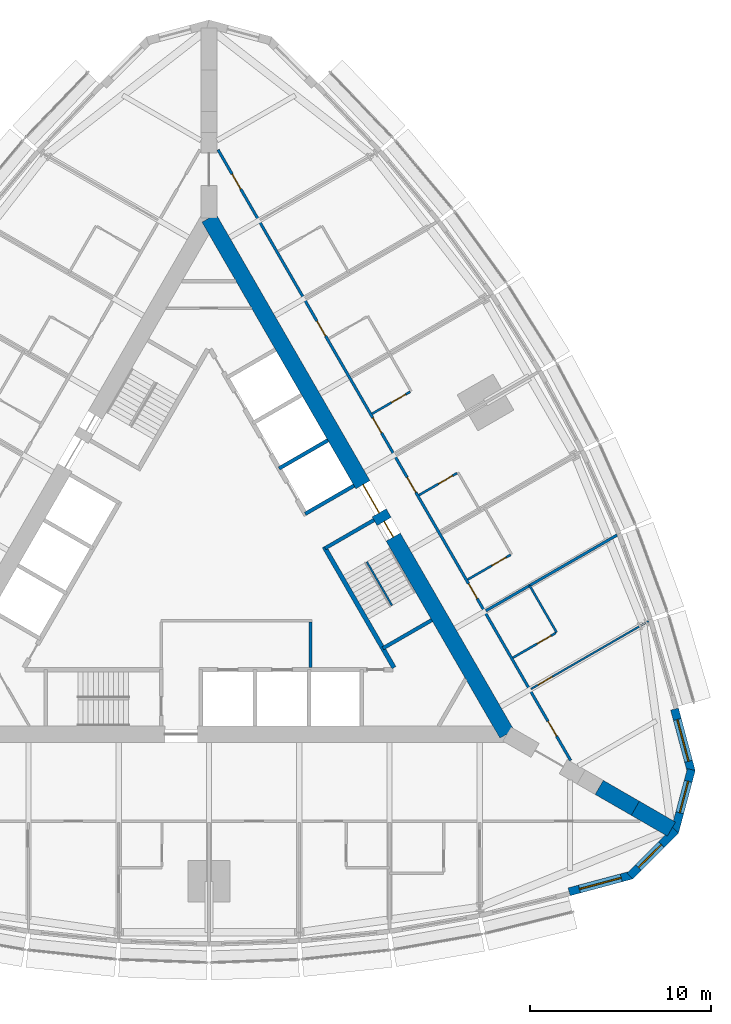
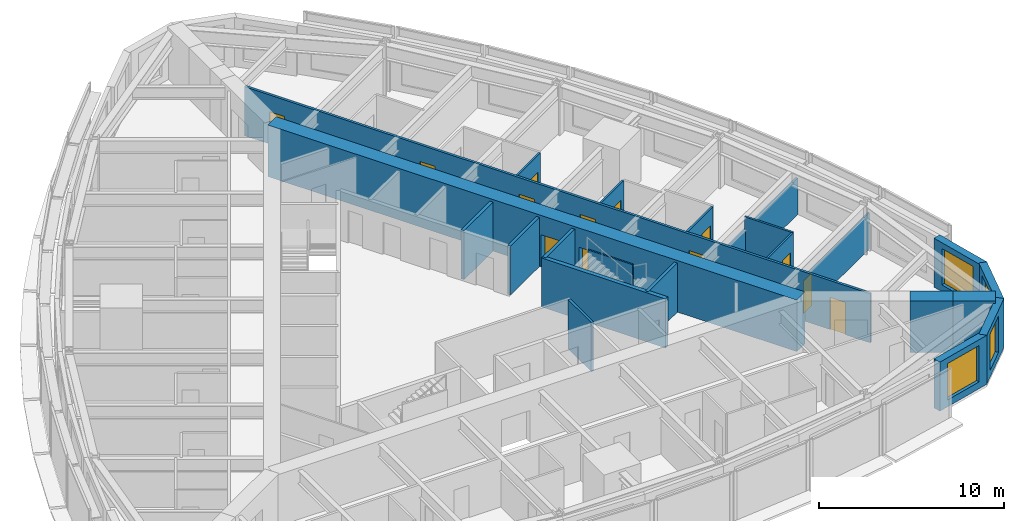
# One storey, part 11 of 14: 22 walls, 13 doors, 4 windows, 17 openings.
"""IFC4 building model written with IfcOpenShell, lengths in metres."""

import ifcopenshell
import ifcopenshell.guid

model = None  # the IFC model being written
_history = None  # IfcOwnerHistory: only IFC2X3 demands one
_inside = {}  # id of a spatial element -> (the spatial element, [elements in it])
_under = {}  # id of a project, library or spatial element -> (it, [spatial elements below it])
_declared = {}  # id of a project -> (the project, [libraries it declares])
_typed = {}  # id of a type object -> (the type object, [elements of that type])
_made_of = {}  # id of a material, layer set ... -> (it, [elements and type objects made of it])


def new_model(schema):
    """Start an empty IFC model of exactly this schema.

    Asked for "IFC4X3", IfcOpenShell would pick the latest addendum, in which some entities
    have other attributes; the version numbers below select the first issue.
    IFC2X3 requires an IfcOwnerHistory on every rooted entity: one is made here for all.
    """
    global model, _history
    if schema == "IFC4X3":
        model = ifcopenshell.file(schema_version=(4, 3, 0, 0))
    else:
        model = ifcopenshell.file(schema=schema)
    _inside.clear()
    _under.clear()
    _declared.clear()
    _typed.clear()
    _made_of.clear()
    _history = None
    if model.schema == "IFC2X3":
        org = make("IfcOrganization", Name="unknown")
        user = make(
            "IfcPersonAndOrganization",
            ThePerson=make("IfcPerson", FamilyName="unknown"),
            TheOrganization=org,
        )
        app = make(
            "IfcApplication",
            ApplicationDeveloper=org,
            Version="unknown",
            ApplicationFullName="unknown",
            ApplicationIdentifier="unknown",
        )
        _history = make(
            "IfcOwnerHistory",
            OwningUser=user,
            OwningApplication=app,
            ChangeAction="ADDED",
            CreationDate=0,
        )
    return model


def make(cls, **values):
    """One entity of the class cls with the attributes given. An attribute that is None is left unset."""
    return model.create_entity(
        cls, **{name: value for name, value in values.items() if value is not None}
    )


def rooted(cls, **values):
    """An entity with a GlobalId (a new one), such as an element, a storey or a relation."""
    return make(cls, GlobalId=ifcopenshell.guid.new(), OwnerHistory=_history, **values)


def si_unit(unit_type, name, prefix=None):
    """IfcSIUnit, for example si_unit("LENGTHUNIT", "METRE", prefix="MILLI")."""
    return make("IfcSIUnit", UnitType=unit_type, Prefix=prefix, Name=name)


def assignment(units):
    """IfcUnitAssignment: the units of a project."""
    return None if units is None else make("IfcUnitAssignment", Units=units)


def point(xyz):
    """IfcCartesianPoint."""
    return None if xyz is None else make("IfcCartesianPoint", Coordinates=xyz)


def direction(xyz):
    """IfcDirection."""
    return None if xyz is None else make("IfcDirection", DirectionRatios=xyz)


def frame(location, z_axis=None, x_axis=None):
    """IfcAxis2Placement3D, a coordinate frame: its origin and axes. An axis left out is left unset."""
    return make(
        "IfcAxis2Placement3D",
        Location=point(location),
        Axis=direction(z_axis),
        RefDirection=direction(x_axis),
    )


def frame_2d(location, x_axis=None):
    """IfcAxis2Placement2D, a coordinate frame in the plane: its origin and x axis."""
    return make(
        "IfcAxis2Placement2D", Location=point(location), RefDirection=direction(x_axis)
    )


def origin():
    """The frame at (0, 0, 0) with its axes left unset."""
    return frame((0.0, 0.0, 0.0))


def place(relative_to, where):
    """IfcLocalPlacement: puts the frame where relative to a parent placement (None: the world)."""
    return make(
        "IfcLocalPlacement", PlacementRelTo=relative_to, RelativePlacement=where
    )


def context(
    kind, dimensions, precision=None, world=None, true_north=None, identifier=None
):
    """IfcGeometricRepresentationContext, for example the 3D "Model" context."""
    return make(
        "IfcGeometricRepresentationContext",
        ContextIdentifier=identifier,
        ContextType=kind,
        CoordinateSpaceDimension=dimensions,
        Precision=precision,
        WorldCoordinateSystem=world,
        TrueNorth=true_north,
    )


def subcontext(parent, identifier, kind, view, scale=None):
    """IfcGeometricRepresentationSubContext, for example "Body" below "Model"."""
    return make(
        "IfcGeometricRepresentationSubContext",
        ContextIdentifier=identifier,
        ContextType=kind,
        ParentContext=parent,
        TargetScale=scale,
        TargetView=view,
    )


def project(units=None, contexts=None):
    """IfcProject with its units and contexts."""
    return rooted(
        "IfcProject",
        Name="project",
        RepresentationContexts=contexts,
        UnitsInContext=assignment(units),
    )


def spatial(cls, under=None, at=None, **own):
    """A site, building, storey or space (cls), placed at a placement, below another one or the project."""
    s = rooted(cls, ObjectPlacement=at, **own)
    if under is not None:
        _under.setdefault(under.id(), (under, []))[1].append(s)
    return s


def polyline(points):
    """IfcPolyline through the points."""
    return make("IfcPolyline", Points=[point(p) for p in points])


def profile(cls, at=None, kind="AREA", **sizes):
    """A parametric profile (cls). Its sizes go by their IFC names, for example OverallWidth=200.0."""
    return make(cls, ProfileType=kind, Position=at, **sizes)


def rectangle(**sizes):
    """IfcRectangleProfileDef."""
    return profile("IfcRectangleProfileDef", **sizes)


def outline(outer, holes=None, kind="AREA"):
    """IfcArbitraryClosedProfileDef: a profile drawn as a closed curve; with holes, ...WithVoids."""
    if holes is None:
        return make("IfcArbitraryClosedProfileDef", ProfileType=kind, OuterCurve=outer)
    return make(
        "IfcArbitraryProfileDefWithVoids",
        ProfileType=kind,
        OuterCurve=outer,
        InnerCurves=holes,
    )


def extrude(swept, where, along, depth):
    """IfcExtrudedAreaSolid: the profile swept, set in the frame where, extruded along a direction by depth."""
    return make(
        "IfcExtrudedAreaSolid",
        SweptArea=swept,
        Position=where,
        ExtrudedDirection=direction(along),
        Depth=depth,
    )


def shape(context_of_items, identifier, shape_type, items):
    """IfcShapeRepresentation: the items that make up one representation, for example the "Body"."""
    return make(
        "IfcShapeRepresentation",
        ContextOfItems=context_of_items,
        RepresentationIdentifier=identifier,
        RepresentationType=shape_type,
        Items=items,
    )


def material(Name=None, Category=None):
    """IfcMaterial."""
    return make("IfcMaterial", Name=Name, Category=Category)


def layer(
    of_material, thickness, ventilated=None, Name=None, Category=None, Priority=None
):
    """IfcMaterialLayer: one layer of a wall or slab, of a material (None: an air gap)."""
    return make(
        "IfcMaterialLayer",
        Material=of_material,
        LayerThickness=thickness,
        IsVentilated=ventilated,
        Name=Name,
        Category=Category,
        Priority=Priority,
    )


def layer_set(layers, Name=None):
    """IfcMaterialLayerSet."""
    return make("IfcMaterialLayerSet", MaterialLayers=layers, LayerSetName=Name)


def made_of(thing, what):
    """Note that an element or type object is made of a material, layer set ...; save() writes the relation."""
    if what is not None:
        _made_of.setdefault(what.id(), (what, []))[1].append(thing)
    return thing


def type_object(cls, material=None, **own):
    """A type object (cls), such as IfcWallType, which elements share."""
    return made_of(rooted(cls, **own), material)


def element(
    cls,
    number,
    at=None,
    inside=None,
    cuts=None,
    type_object=None,
    material=None,
    context=None,
    identifier="Body",
    shape_type=None,
    held_by="IfcProductDefinitionShape",
    body=None,
    shapes=None,
    **own,
):
    """One element of the class cls, such as IfcWall. Its Tag is "e" and its number.

    at: its placement. inside: the storey or other place that contains it. cuts: it is an
    opening in that element (IfcRelVoidsElement). A single representation is given by context,
    identifier, shape_type and body (its items); several are given by shapes. held_by: the class
    of the entity that holds the representations. save() writes the other relations.
    """
    e = rooted(cls, Tag="e%d" % number, ObjectPlacement=at, **own)
    if body is not None:
        shapes = [shape(context, identifier, shape_type, body)]
    if shapes is not None:
        e.Representation = make(held_by, Representations=shapes)
    if inside is not None:
        _inside.setdefault(inside.id(), (inside, []))[1].append(e)
    if cuts is not None:
        rooted(
            "IfcRelVoidsElement", RelatingBuildingElement=cuts, RelatedOpeningElement=e
        )
    if type_object is not None:
        _typed.setdefault(type_object.id(), (type_object, []))[1].append(e)
    return made_of(e, material)


def fill(opening, filler):
    """IfcRelFillsElement: the door or window that sits in an opening."""
    return rooted(
        "IfcRelFillsElement",
        RelatingOpeningElement=opening,
        RelatedBuildingElement=filler,
    )


def aggregate(whole, parts):
    """IfcRelAggregates: a whole, such as a stair, and the parts it consists of."""
    return rooted("IfcRelAggregates", RelatingObject=whole, RelatedObjects=parts)


def save(model, path):
    """Write the relations noted so far, then the file.

    IfcRelAggregates (storeys below a building ...), IfcRelContainedInSpatialStructure (elements
    in a storey), IfcRelDefinesByType, IfcRelAssociatesMaterial and IfcRelDeclares: one each for
    every whole, place, type object, material and project.
    """
    for whole, parts in _under.values():
        aggregate(whole, parts)
    for where, things in _inside.values():
        rooted(
            "IfcRelContainedInSpatialStructure",
            RelatedElements=things,
            RelatingStructure=where,
        )
    for kind, things in _typed.values():
        rooted("IfcRelDefinesByType", RelatedObjects=things, RelatingType=kind)
    for what, things in _made_of.values():
        rooted("IfcRelAssociatesMaterial", RelatedObjects=things, RelatingMaterial=what)
    for by, libraries in _declared.values():
        rooted("IfcRelDeclares", RelatingContext=by, RelatedDefinitions=libraries)
    model.write(path)


model = new_model("IFC4")

# Units and contexts
model_context = context("Model", 3, precision=1e-05, world=origin(), true_north=direction((0.0, 1.0)))
body_context = subcontext(model_context, "Body", "Model", "MODEL_VIEW")
ifc_project = project(units=[si_unit("LENGTHUNIT", "METRE"), si_unit("AREAUNIT", "SQUARE_METRE"), si_unit("VOLUMEUNIT", "CUBIC_METRE"), si_unit("PLANEANGLEUNIT", "RADIAN"), si_unit("MASSUNIT", "GRAM", prefix="KILO")], contexts=[model_context])

# Site, building, storey
site_placement = place(None, origin())
site = spatial("IfcSite", under=ifc_project, at=site_placement, CompositionType="ELEMENT")
building_placement = place(site_placement, origin())
building = spatial("IfcBuilding", under=site, at=building_placement, Name="Trikona Tower", CompositionType="ELEMENT")
storey_placement = place(building_placement, frame((0.0, 0.0, 135.10009765625)))
storey = spatial("IfcBuildingStorey", under=building, at=storey_placement, Name="L35", CompositionType="ELEMENT", Elevation=135.10009765625)

# Wall
ifc_material_1 = material(Name="Metal stud and cement board", Category="gypsum")
ifc_layer_1 = layer(ifc_material_1, 0.1201171875)
ifc_layer_set_1 = layer_set([ifc_layer_1], Name="Bathroom wall 120")
wall_type_1 = type_object("IfcWallType", Name="Bathroom wall 120", PredefinedType="PLUMBINGWALL", material=ifc_layer_set_1)
wall_1_placement = place(storey_placement, frame((19.25341796875, -3.895263671875, 0.0), z_axis=(0.0, 0.0, 1.0), x_axis=(-0.499990139034, 0.866031096941, 0.0)))
element("IfcWall", 1, at=wall_1_placement, inside=storey, type_object=wall_type_1, Name="Bathroom wall 3505.1", PredefinedType="PLUMBINGWALL", context=body_context, shape_type="SweptSolid", body=[
    extrude(rectangle(XDim=3.0, YDim=0.1201171875, at=frame_2d((1.5, 0.0))), origin(), (0.0, 0.0, 1.0), 3.23486328125),
])

# Wall, opening, door
wall_2_placement = place(storey_placement, frame((16.82861328125, -5.295166015625, 0.0), z_axis=(0.0, 0.0, 1.0), x_axis=(0.866035715982, 0.499982138324, 0.0)))
wall_2 = element("IfcWall", 2, at=wall_2_placement, inside=storey, type_object=wall_type_1, Name="Bathroom wall 3505.1", PredefinedType="PLUMBINGWALL", context=body_context, shape_type="SweptSolid", body=[
    extrude(rectangle(XDim=2.73974609375, YDim=0.1201171875, at=frame_2d((1.369873046875, 0.0))), origin(), (0.0, 0.0, 1.0), 3.23486328125),
])
opening_1_placement = place(wall_2_placement, frame((1.550048828125, 0.0, 0.0)))
opening_1 = element("IfcOpeningElement", 3, at=opening_1_placement, cuts=wall_2, Name="Opening D2", PredefinedType="OPENING", context=body_context, shape_type="SweptSolid", body=[
    extrude(rectangle(XDim=0.89990234375, YDim=2.1298828125, at=frame_2d((0.449951171875, 1.06494140625))), frame((0.0, 0.070068359375, 0.0), z_axis=(0.0, -1.0, 0.0), x_axis=(1.0, 0.0, 0.0)), (0.0, 0.0, 1.0), 0.14013671875),
])
ifc_material_2 = material(Name="Steel door frame with solid-core timber leaf", Category="steel")
door_type_1 = type_object("IfcDoorType", Name="Bathroom door 900x2130", OperationType="SLIDING_TO_LEFT", PredefinedType="DOOR", material=ifc_material_2)
door_1_placement = place(opening_1_placement, origin())
door_1 = element("IfcDoor", 4, at=door_1_placement, inside=storey, type_object=door_type_1, Name="Bathroom door 3505.1", OperationType="SLIDING_TO_LEFT", OverallHeight=2.1298828125, OverallWidth=0.89990234375, PredefinedType="DOOR", context=body_context, shape_type="SweptSolid", body=[
    extrude(rectangle(XDim=0.89990234375, YDim=2.1298828125, at=frame_2d((0.449951171875, 1.06494140625))), frame((0.0, 0.02490234375, 0.0), z_axis=(0.0, -1.0, 0.0), x_axis=(1.0, 0.0, 0.0)), (0.0, 0.0, 1.0), 0.050048828125),
])
fill(opening_1, door_1)

wall_3_placement = place(storey_placement, frame((14.32861328125, -0.965087890625, 0.0), z_axis=(0.0, 0.0, 1.0), x_axis=(0.866035715982, 0.499982138324, 0.0)))
wall_3 = element("IfcWall", 5, at=wall_3_placement, inside=storey, type_object=wall_type_1, Name="Bathroom wall 3506", PredefinedType="PLUMBINGWALL", context=body_context, shape_type="SweptSolid", body=[
    extrude(rectangle(XDim=2.73974609375, YDim=0.1201171875, at=frame_2d((1.369873046875, 0.0))), origin(), (0.0, 0.0, 1.0), 3.23486328125),
])
opening_2_placement = place(wall_3_placement, frame((1.550048828125, 0.0, 0.0)))
opening_2 = element("IfcOpeningElement", 6, at=opening_2_placement, cuts=wall_3, Name="Opening D2", PredefinedType="OPENING", context=body_context, shape_type="SweptSolid", body=[
    extrude(rectangle(XDim=0.89990234375, YDim=2.1298828125, at=frame_2d((0.449951171875, 1.06494140625))), frame((0.0, 0.070068359375, 0.0), z_axis=(0.0, -1.0, 0.0), x_axis=(1.0, 0.0, 0.0)), (0.0, 0.0, 1.0), 0.14013671875),
])
door_2_placement = place(opening_2_placement, origin())
door_2 = element("IfcDoor", 7, at=door_2_placement, inside=storey, type_object=door_type_1, Name="Bathroom door 3506", OperationType="SLIDING_TO_LEFT", OverallHeight=2.1298828125, OverallWidth=0.89990234375, PredefinedType="DOOR", context=body_context, shape_type="SweptSolid", body=[
    extrude(rectangle(XDim=0.89990234375, YDim=2.1298828125, at=frame_2d((0.449951171875, 1.06494140625))), frame((0.0, 0.02490234375, 0.0), z_axis=(0.0, -1.0, 0.0), x_axis=(1.0, 0.0, 0.0)), (0.0, 0.0, 1.0), 0.050048828125),
])
fill(opening_2, door_2)

wall_4_placement = place(storey_placement, frame((11.62841796875, 3.71142578125, 0.0), z_axis=(0.0, 0.0, 1.0), x_axis=(0.866048967903, 0.499959183527, 0.0)))
wall_4 = element("IfcWall", 8, at=wall_4_placement, inside=storey, type_object=wall_type_1, Name="Bathroom wall 3507", PredefinedType="PLUMBINGWALL", context=body_context, shape_type="SweptSolid", body=[
    extrude(rectangle(XDim=2.440185546875, YDim=0.1201171875, at=frame_2d((1.22021484375, 0.0))), origin(), (0.0, 0.0, 1.0), 3.23486328125),
])
opening_3_placement = place(wall_4_placement, frame((1.25, 0.0, 0.0)))
opening_3 = element("IfcOpeningElement", 9, at=opening_3_placement, cuts=wall_4, Name="Opening D2", PredefinedType="OPENING", context=body_context, shape_type="SweptSolid", body=[
    extrude(rectangle(XDim=0.89990234375, YDim=2.1298828125, at=frame_2d((0.449951171875, 1.06494140625))), frame((0.0, 0.070068359375, 0.0), z_axis=(0.0, -1.0, 0.0), x_axis=(1.0, 0.0, 0.0)), (0.0, 0.0, 1.0), 0.14013671875),
])
door_3_placement = place(opening_3_placement, origin())
door_3 = element("IfcDoor", 10, at=door_3_placement, inside=storey, type_object=door_type_1, Name="Bathroom door 3507", OperationType="SLIDING_TO_LEFT", OverallHeight=2.1298828125, OverallWidth=0.89990234375, PredefinedType="DOOR", context=body_context, shape_type="SweptSolid", body=[
    extrude(rectangle(XDim=0.89990234375, YDim=2.1298828125, at=frame_2d((0.449951171875, 1.06494140625))), frame((0.0, 0.02490234375, 0.0), z_axis=(0.0, -1.0, 0.0), x_axis=(1.0, 0.0, 0.0)), (0.0, 0.0, 1.0), 0.050048828125),
])
fill(opening_3, door_3)

wall_5_placement = place(storey_placement, frame((9.028564453125, 8.21484375, 0.0), z_axis=(0.0, 0.0, 1.0), x_axis=(0.866023955769, 0.500002508028, 0.0)))
wall_5 = element("IfcWall", 11, at=wall_5_placement, inside=storey, type_object=wall_type_1, Name="Bathroom wall 3508", PredefinedType="PLUMBINGWALL", context=body_context, shape_type="SweptSolid", body=[
    extrude(rectangle(XDim=2.43994140625, YDim=0.1201171875, at=frame_2d((1.219970703125, 0.0))), origin(), (0.0, 0.0, 1.0), 3.23486328125),
])
opening_4_placement = place(wall_5_placement, frame((1.25, 0.0, 0.0)))
opening_4 = element("IfcOpeningElement", 12, at=opening_4_placement, cuts=wall_5, Name="Opening D2", PredefinedType="OPENING", context=body_context, shape_type="SweptSolid", body=[
    extrude(rectangle(XDim=0.89990234375, YDim=2.1298828125, at=frame_2d((0.449951171875, 1.06494140625))), frame((0.0, 0.070068359375, 0.0), z_axis=(0.0, -1.0, 0.0), x_axis=(1.0, 0.0, 0.0)), (0.0, 0.0, 1.0), 0.14013671875),
])
door_4_placement = place(opening_4_placement, origin())
door_4 = element("IfcDoor", 13, at=door_4_placement, inside=storey, type_object=door_type_1, Name="Bathroom door 3508", OperationType="SLIDING_TO_LEFT", OverallHeight=2.1298828125, OverallWidth=0.89990234375, PredefinedType="DOOR", context=body_context, shape_type="SweptSolid", body=[
    extrude(rectangle(XDim=0.89990234375, YDim=2.1298828125, at=frame_2d((0.449951171875, 1.06494140625))), frame((0.0, 0.02490234375, 0.0), z_axis=(0.0, -1.0, 0.0), x_axis=(1.0, 0.0, 0.0)), (0.0, 0.0, 1.0), 0.050048828125),
])
fill(opening_4, door_4)

# Wall, opening, window
ifc_material_3 = material(Name="Brick-faced precast concrete", Category="masonry")
ifc_layer_2 = layer(ifc_material_3, 0.449951171875)
ifc_layer_set_2 = layer_set([ifc_layer_2], Name="Brick-faced corner wall 450")
wall_type_2 = type_object("IfcWallType", Name="Brick-faced corner wall 450", PredefinedType="SOLIDWALL", material=ifc_layer_set_2)
wall_6_placement = place(storey_placement, frame((19.94189453125, -18.2578125, 0.0), z_axis=(0.0, 0.0, 1.0), x_axis=(0.965924653531, 0.258823421857, 0.0)))
wall_6 = element("IfcWall", 14, at=wall_6_placement, inside=storey, type_object=wall_type_2, Name="External wall L35-08", PredefinedType="SOLIDWALL", context=body_context, shape_type="SweptSolid", body=[
    extrude(rectangle(XDim=3.58642578125, YDim=0.449951171875, at=frame_2d((1.793212890625, 0.0))), origin(), (0.0, 0.0, 1.0), 3.23486328125),
])
opening_5_placement = place(wall_6_placement, frame((0.593017578125, 0.0, 0.449951171875)))
opening_5 = element("IfcOpeningElement", 15, at=opening_5_placement, cuts=wall_6, Name="Opening W2424", PredefinedType="OPENING", context=body_context, shape_type="SweptSolid", body=[
    extrude(rectangle(XDim=2.39990234375, YDim=2.39990234375, at=frame_2d((1.199951171875, 1.199951171875))), frame((0.0, 0.23486328125, 0.0), z_axis=(0.0, -1.0, 0.0), x_axis=(1.0, 0.0, 0.0)), (0.0, 0.0, 1.0), 0.469970703125),
])
ifc_material_4 = material(Name="Aluminium-framed double glazing", Category="aluminium")
window_type_1 = type_object("IfcWindowType", Name="Window 2400x2400", PartitioningType="SINGLE_PANEL", PredefinedType="WINDOW", material=ifc_material_4)
window_1_placement = place(opening_5_placement, origin())
window_1 = element("IfcWindow", 16, at=window_1_placement, inside=storey, type_object=window_type_1, Name="Window 3504", OverallHeight=2.39990234375, OverallWidth=2.39990234375, PartitioningType="SINGLE_PANEL", PredefinedType="WINDOW", context=body_context, shape_type="SweptSolid", body=[
    extrude(rectangle(XDim=2.39990234375, YDim=2.39990234375, at=frame_2d((1.199951171875, 1.199951171875))), frame((0.0, 0.030029296875, 0.0), z_axis=(0.0, -1.0, 0.0), x_axis=(1.0, 0.0, 0.0)), (0.0, 0.0, 1.0), 0.06005859375),
])
fill(opening_5, window_1)

wall_7_placement = place(storey_placement, frame((23.304931640625, -17.387939453125, 0.0), z_axis=(0.0, 0.0, 1.0), x_axis=(0.707106781187, 0.707106781187, 0.0)))
wall_7 = element("IfcWall", 17, at=wall_7_placement, inside=storey, type_object=wall_type_2, Name="External wall L35-09", PredefinedType="SOLIDWALL", context=body_context, shape_type="SweptSolid", body=[
    extrude(outline(polyline([(3.586181640625, 0.22509765625), (3.527099609375, 0.22509765625), (3.03515625, 0.09326171875), (3.0, 0.22509765625), (0.0, 0.22509765625), (0.0, -0.22509765625), (3.586181640625, -0.22509765625), (3.586181640625, 0.22509765625)])), origin(), (0.0, 0.0, 1.0), 3.23486328125),
])
opening_6_placement = place(wall_7_placement, frame((0.6748046875, 0.0, 0.449951171875)))
opening_6 = element("IfcOpeningElement", 18, at=opening_6_placement, cuts=wall_7, Name="Opening W1824", PredefinedType="OPENING", context=body_context, shape_type="SweptSolid", body=[
    extrude(rectangle(XDim=1.800048828125, YDim=2.39990234375, at=frame_2d((0.89990234375, 1.199951171875))), frame((0.0, 0.23486328125, 0.0), z_axis=(0.0, -1.0, 0.0), x_axis=(1.0, 0.0, 0.0)), (0.0, 0.0, 1.0), 0.469970703125),
])
ifc_material_5 = material(Name="Aluminium-framed double glazing", Category="aluminium")
window_type_2 = type_object("IfcWindowType", Name="Window 1800x2400", PartitioningType="SINGLE_PANEL", PredefinedType="WINDOW", material=ifc_material_5)
window_2_placement = place(opening_6_placement, origin())
window_2 = element("IfcWindow", 19, at=window_2_placement, inside=storey, type_object=window_type_2, Name="Window 3504", OverallHeight=2.39990234375, OverallWidth=1.800048828125, PartitioningType="SINGLE_PANEL", PredefinedType="WINDOW", context=body_context, shape_type="SweptSolid", body=[
    extrude(rectangle(XDim=1.800048828125, YDim=2.39990234375, at=frame_2d((0.89990234375, 1.199951171875))), frame((0.0, 0.030029296875, 0.0), z_axis=(0.0, -1.0, 0.0), x_axis=(1.0, 0.0, 0.0)), (0.0, 0.0, 1.0), 0.06005859375),
])
fill(opening_6, window_2)

wall_8_placement = place(storey_placement, frame((25.78271484375, -14.952880859375, 0.0), z_axis=(0.0, 0.0, 1.0), x_axis=(0.258823421857, 0.965924653531, 0.0)))
wall_8 = element("IfcWall", 20, at=wall_8_placement, inside=storey, type_object=wall_type_2, Name="External wall L35-10", PredefinedType="SOLIDWALL", context=body_context, shape_type="SweptSolid", body=[
    extrude(outline(polyline([(3.58642578125, 0.22509765625), (0.58642578125, 0.22509765625), (0.551025390625, 0.09326171875), (0.0595703125, 0.22509765625), (0.0, 0.22509765625), (0.0, -0.22509765625), (3.58642578125, -0.22509765625), (3.58642578125, 0.22509765625)])), origin(), (0.0, 0.0, 1.0), 3.23486328125),
])
opening_7_placement = place(wall_8_placement, frame((1.111328125, 0.0, 0.449951171875)))
opening_7 = element("IfcOpeningElement", 21, at=opening_7_placement, cuts=wall_8, Name="Opening W1824", PredefinedType="OPENING", context=body_context, shape_type="SweptSolid", body=[
    extrude(rectangle(XDim=1.800048828125, YDim=2.39990234375, at=frame_2d((0.89990234375, 1.199951171875))), frame((0.0, 0.23486328125, 0.0), z_axis=(0.0, -1.0, 0.0), x_axis=(1.0, 0.0, 0.0)), (0.0, 0.0, 1.0), 0.469970703125),
])
window_3_placement = place(opening_7_placement, origin())
window_3 = element("IfcWindow", 22, at=window_3_placement, inside=storey, type_object=window_type_2, Name="Window 3505", OverallHeight=2.39990234375, OverallWidth=1.800048828125, PartitioningType="SINGLE_PANEL", PredefinedType="WINDOW", context=body_context, shape_type="SweptSolid", body=[
    extrude(rectangle(XDim=1.800048828125, YDim=2.39990234375, at=frame_2d((0.89990234375, 1.199951171875))), frame((0.0, 0.030029296875, 0.0), z_axis=(0.0, -1.0, 0.0), x_axis=(1.0, 0.0, 0.0)), (0.0, 0.0, 1.0), 0.06005859375),
])
fill(opening_7, window_3)

wall_9_placement = place(storey_placement, frame((26.7109375, -11.605224609375, 0.0), z_axis=(0.0, 0.0, 1.0), x_axis=(-0.258823421857, 0.965924653531, 0.0)))
wall_9 = element("IfcWall", 23, at=wall_9_placement, inside=storey, type_object=wall_type_2, Name="External wall L35-11", PredefinedType="SOLIDWALL", context=body_context, shape_type="SweptSolid", body=[
    extrude(rectangle(XDim=3.58642578125, YDim=0.449951171875, at=frame_2d((1.793212890625, 0.0))), origin(), (0.0, 0.0, 1.0), 3.23486328125),
])
opening_8_placement = place(wall_9_placement, frame((0.593017578125, 0.0, 0.449951171875)))
opening_8 = element("IfcOpeningElement", 24, at=opening_8_placement, cuts=wall_9, Name="Opening W2424", PredefinedType="OPENING", context=body_context, shape_type="SweptSolid", body=[
    extrude(rectangle(XDim=2.39990234375, YDim=2.39990234375, at=frame_2d((1.199951171875, 1.199951171875))), frame((0.0, 0.23486328125, 0.0), z_axis=(0.0, -1.0, 0.0), x_axis=(1.0, 0.0, 0.0)), (0.0, 0.0, 1.0), 0.469970703125),
])
window_4_placement = place(opening_8_placement, origin())
window_4 = element("IfcWindow", 25, at=window_4_placement, inside=storey, type_object=window_type_1, Name="Window 3505", OverallHeight=2.39990234375, OverallWidth=2.39990234375, PartitioningType="SINGLE_PANEL", PredefinedType="WINDOW", context=body_context, shape_type="SweptSolid", body=[
    extrude(rectangle(XDim=2.39990234375, YDim=2.39990234375, at=frame_2d((1.199951171875, 1.199951171875))), frame((0.0, 0.030029296875, 0.0), z_axis=(0.0, -1.0, 0.0), x_axis=(1.0, 0.0, 0.0)), (0.0, 0.0, 1.0), 0.06005859375),
])
fill(opening_8, window_4)

# Walls
ifc_material_6 = material(Name="Concrete f'c 10000 psi", Category="concrete")
ifc_layer_3 = layer(ifc_material_6, 0.89990234375)
ifc_layer_set_3 = layer_set([ifc_layer_3], Name="Buttress wall 900")
wall_type_3 = type_object("IfcWallType", Name="Buttress wall 900", PredefinedType="SHEAR", material=ifc_layer_set_3)
for number, where, z_axis, x_axis, name in (
    (26, (21.6103515625, -12.476806640625, 0.0), (0.0, 0.0, 1.0), (0.866055313784, -0.499948190782, 0.0), "Buttress wall 1 part 3"),
    (27, (23.6103515625, -13.63134765625, 0.0), (0.0, 0.0, 1.0), (0.866009537788, -0.500027479704, 0.0), "Buttress wall 1 part 4"),
):
    element("IfcWall", number, at=place(storey_placement, frame(where, z_axis=z_axis, x_axis=x_axis)), inside=storey, type_object=wall_type_3, Name=name, PredefinedType="SHEAR", context=body_context, shape_type="SweptSolid", body=[
        extrude(rectangle(XDim=2.309326171875, YDim=0.89990234375, at=frame_2d((1.15478515625, 0.0))), origin(), (0.0, 0.0, 1.0), 3.39990234375),
    ])

# Wall, openings, doors
ifc_material_7 = material(Name="Concrete f'c 10000 psi", Category="concrete")
ifc_layer_4 = layer(ifc_material_7, 0.89990234375)
ifc_layer_set_4 = layer_set([ifc_layer_4], Name="Core wall 900")
wall_type_4 = type_object("IfcWallType", Name="Core wall 900", PredefinedType="SHEAR", material=ifc_layer_set_4)
wall_10_placement = place(storey_placement, frame((16.5, -9.5263671875, 0.0), z_axis=(0.0, 0.0, 1.0), x_axis=(-0.499999749417, 0.866025548458, 0.0)))
wall_10 = element("IfcWall", 28, at=wall_10_placement, inside=storey, type_object=wall_type_4, Name="Core wall B", PredefinedType="SHEAR", context=body_context, shape_type="SweptSolid", body=[
    extrude(rectangle(XDim=33.0, YDim=0.89990234375, at=frame_2d((16.5, 0.0))), origin(), (0.0, 0.0, 1.0), 3.39990234375),
])
opening_9_placement = place(wall_10_placement, frame((14.14990234375, 0.0, 0.0)))
opening_9 = element("IfcOpeningElement", 29, at=opening_9_placement, cuts=wall_10, Name="Opening D6", PredefinedType="OPENING", context=body_context, shape_type="SweptSolid", body=[
    extrude(rectangle(XDim=1.800048828125, YDim=2.1298828125, at=frame_2d((0.89990234375, 1.06494140625))), frame((0.0, 0.4599609375, 0.0), z_axis=(0.0, -1.0, 0.0), x_axis=(1.0, 0.0, 0.0)), (0.0, 0.0, 1.0), 0.919921875),
])
opening_10_placement = place(wall_10_placement, frame((12.60009765625, 0.0, 0.0)))
opening_10 = element("IfcOpeningElement", 30, at=opening_10_placement, cuts=wall_10, Name="Opening D5", PredefinedType="OPENING", context=body_context, shape_type="SweptSolid", body=[
    extrude(rectangle(XDim=1.0, YDim=2.1298828125, at=frame_2d((0.5, 1.06494140625))), frame((0.0, 0.4599609375, 0.0), z_axis=(0.0, -1.0, 0.0), x_axis=(1.0, 0.0, 0.0)), (0.0, 0.0, 1.0), 0.919921875),
])
ifc_material_8 = material(Name="Hollow metal door and frame", Category="steel")
door_type_2 = type_object("IfcDoorType", Name="Lobby door pair 1800x2130", OperationType="DOUBLE_DOOR_SINGLE_SWING", PredefinedType="DOOR", material=ifc_material_8)
door_5_placement = place(opening_9_placement, origin())
door_5 = element("IfcDoor", 31, at=door_5_placement, inside=storey, type_object=door_type_2, Name="Lift lobby door B", OperationType="DOUBLE_DOOR_SINGLE_SWING", OverallHeight=2.1298828125, OverallWidth=1.800048828125, PredefinedType="DOOR", context=body_context, shape_type="SweptSolid", body=[
    extrude(rectangle(XDim=1.800048828125, YDim=2.1298828125, at=frame_2d((0.89990234375, 1.06494140625))), frame((0.0, 0.02490234375, 0.0), z_axis=(0.0, -1.0, 0.0), x_axis=(1.0, 0.0, 0.0)), (0.0, 0.0, 1.0), 0.050048828125),
])
fill(opening_9, door_5)
ifc_material_9 = material(Name="Hollow metal door and frame", Category="steel")
door_type_3 = type_object("IfcDoorType", Name="Stair door 1000x2130", OperationType="SINGLE_SWING_LEFT", PredefinedType="DOOR", material=ifc_material_9)
door_6_placement = place(opening_10_placement, origin())
door_6 = element("IfcDoor", 32, at=door_6_placement, inside=storey, type_object=door_type_3, Name="Stair B door", OperationType="SINGLE_SWING_RIGHT", OverallHeight=2.1298828125, OverallWidth=1.0, PredefinedType="DOOR", context=body_context, shape_type="SweptSolid", body=[
    extrude(rectangle(XDim=1.0, YDim=2.1298828125, at=frame_2d((0.5, 1.06494140625))), frame((0.0, 0.02490234375, 0.0), z_axis=(0.0, -1.0, 0.0), x_axis=(1.0, 0.0, 0.0)), (0.0, 0.0, 1.0), 0.050048828125),
])
fill(opening_10, door_6)

ifc_material_10 = material(Name="Metal stud and gypsum board, 1-hour", Category="gypsum")
ifc_layer_5 = layer(ifc_material_10, 0.14990234375)
ifc_layer_set_5 = layer_set([ifc_layer_5], Name="Corridor wall 150")
wall_type_5 = type_object("IfcWallType", Name="Corridor wall 150", PredefinedType="PARTITIONING", material=ifc_layer_set_5)
wall_11_placement = place(storey_placement, frame((20.027099609375, -10.9853515625, 0.0), z_axis=(0.0, 0.0, 1.0), x_axis=(-0.500001677587, 0.866024435227, 0.0)))
wall_11 = element("IfcWall", 33, at=wall_11_placement, inside=storey, type_object=wall_type_5, Name="Corridor wall L35-2", PredefinedType="PARTITIONING", context=body_context, shape_type="SweptSolid", body=[
    extrude(rectangle(XDim=39.053955078125, YDim=0.14990234375, at=frame_2d((19.52685546875, 0.0))), origin(), (0.0, 0.0, 1.0), 3.23486328125),
])
opening_11_placement = place(wall_11_placement, frame((1.558349609375, 0.0, 0.0)))
opening_11 = element("IfcOpeningElement", 34, at=opening_11_placement, cuts=wall_11, Name="Opening D1", PredefinedType="OPENING", context=body_context, shape_type="SweptSolid", body=[
    extrude(rectangle(XDim=0.949951171875, YDim=2.1298828125, at=frame_2d((0.47509765625, 1.06494140625))), frame((0.0, 0.0849609375, 0.0), z_axis=(0.0, -1.0, 0.0), x_axis=(1.0, 0.0, 0.0)), (0.0, 0.0, 1.0), 0.169921875),
])
opening_12_placement = place(wall_11_placement, frame((10.35205078125, 0.0, 0.0)))
opening_12 = element("IfcOpeningElement", 35, at=opening_12_placement, cuts=wall_11, Name="Opening D1", PredefinedType="OPENING", context=body_context, shape_type="SweptSolid", body=[
    extrude(rectangle(XDim=0.949951171875, YDim=2.1298828125, at=frame_2d((0.47509765625, 1.06494140625))), frame((0.0, 0.0849609375, 0.0), z_axis=(0.0, -1.0, 0.0), x_axis=(1.0, 0.0, 0.0)), (0.0, 0.0, 1.0), 0.169921875),
])
opening_13_placement = place(wall_11_placement, frame((17.152099609375, 0.0, 0.0)))
opening_13 = element("IfcOpeningElement", 36, at=opening_13_placement, cuts=wall_11, Name="Opening D1", PredefinedType="OPENING", context=body_context, shape_type="SweptSolid", body=[
    extrude(rectangle(XDim=0.949951171875, YDim=2.1298828125, at=frame_2d((0.47509765625, 1.06494140625))), frame((0.0, 0.0849609375, 0.0), z_axis=(0.0, -1.0, 0.0), x_axis=(1.0, 0.0, 0.0)), (0.0, 0.0, 1.0), 0.169921875),
])
opening_14_placement = place(wall_11_placement, frame((20.951904296875, 0.0, 0.0)))
opening_14 = element("IfcOpeningElement", 37, at=opening_14_placement, cuts=wall_11, Name="Opening D1", PredefinedType="OPENING", context=body_context, shape_type="SweptSolid", body=[
    extrude(rectangle(XDim=0.949951171875, YDim=2.1298828125, at=frame_2d((0.47509765625, 1.06494140625))), frame((0.0, 0.0849609375, 0.0), z_axis=(0.0, -1.0, 0.0), x_axis=(1.0, 0.0, 0.0)), (0.0, 0.0, 1.0), 0.169921875),
])
opening_15_placement = place(wall_11_placement, frame((27.152099609375, 0.0, 0.0)))
opening_15 = element("IfcOpeningElement", 38, at=opening_15_placement, cuts=wall_11, Name="Opening D1", PredefinedType="OPENING", context=body_context, shape_type="SweptSolid", body=[
    extrude(rectangle(XDim=0.949951171875, YDim=2.1298828125, at=frame_2d((0.47509765625, 1.06494140625))), frame((0.0, 0.0849609375, 0.0), z_axis=(0.0, -1.0, 0.0), x_axis=(1.0, 0.0, 0.0)), (0.0, 0.0, 1.0), 0.169921875),
])
opening_16_placement = place(wall_11_placement, frame((36.545654296875, 0.0, 0.0)))
opening_16 = element("IfcOpeningElement", 39, at=opening_16_placement, cuts=wall_11, Name="Opening D1", PredefinedType="OPENING", context=body_context, shape_type="SweptSolid", body=[
    extrude(rectangle(XDim=0.949951171875, YDim=2.1298828125, at=frame_2d((0.47509765625, 1.06494140625))), frame((0.0, 0.0849609375, 0.0), z_axis=(0.0, -1.0, 0.0), x_axis=(1.0, 0.0, 0.0)), (0.0, 0.0, 1.0), 0.169921875),
])
ifc_material_11 = material(Name="Steel door frame with solid-core timber leaf", Category="steel")
door_type_4 = type_object("IfcDoorType", Name="Guest room door 950x2130", OperationType="SINGLE_SWING_LEFT", PredefinedType="DOOR", material=ifc_material_11)
door_7_placement = place(opening_11_placement, origin())
door_7 = element("IfcDoor", 40, at=door_7_placement, inside=storey, type_object=door_type_4, Name="Room door 3505", OperationType="SINGLE_SWING_LEFT", OverallHeight=2.1298828125, OverallWidth=0.949951171875, PredefinedType="DOOR", context=body_context, shape_type="SweptSolid", body=[
    extrude(rectangle(XDim=0.949951171875, YDim=2.1298828125, at=frame_2d((0.47509765625, 1.06494140625))), frame((0.0, 0.02490234375, 0.0), z_axis=(0.0, -1.0, 0.0), x_axis=(1.0, 0.0, 0.0)), (0.0, 0.0, 1.0), 0.050048828125),
])
fill(opening_11, door_7)
door_8_placement = place(opening_12_placement, origin())
door_8 = element("IfcDoor", 41, at=door_8_placement, inside=storey, type_object=door_type_4, Name="Room door 3506", OperationType="SINGLE_SWING_RIGHT", OverallHeight=2.1298828125, OverallWidth=0.949951171875, PredefinedType="DOOR", context=body_context, shape_type="SweptSolid", body=[
    extrude(rectangle(XDim=0.949951171875, YDim=2.1298828125, at=frame_2d((0.47509765625, 1.06494140625))), frame((0.0, 0.02490234375, 0.0), z_axis=(0.0, -1.0, 0.0), x_axis=(1.0, 0.0, 0.0)), (0.0, 0.0, 1.0), 0.050048828125),
])
fill(opening_12, door_8)
door_9_placement = place(opening_13_placement, origin())
door_9 = element("IfcDoor", 42, at=door_9_placement, inside=storey, type_object=door_type_4, Name="Room door 3507", OperationType="SINGLE_SWING_LEFT", OverallHeight=2.1298828125, OverallWidth=0.949951171875, PredefinedType="DOOR", context=body_context, shape_type="SweptSolid", body=[
    extrude(rectangle(XDim=0.949951171875, YDim=2.1298828125, at=frame_2d((0.47509765625, 1.06494140625))), frame((0.0, 0.02490234375, 0.0), z_axis=(0.0, -1.0, 0.0), x_axis=(1.0, 0.0, 0.0)), (0.0, 0.0, 1.0), 0.050048828125),
])
fill(opening_13, door_9)
door_10_placement = place(opening_14_placement, origin())
door_10 = element("IfcDoor", 43, at=door_10_placement, inside=storey, type_object=door_type_4, Name="Room door 3508", OperationType="SINGLE_SWING_RIGHT", OverallHeight=2.1298828125, OverallWidth=0.949951171875, PredefinedType="DOOR", context=body_context, shape_type="SweptSolid", body=[
    extrude(rectangle(XDim=0.949951171875, YDim=2.1298828125, at=frame_2d((0.47509765625, 1.06494140625))), frame((0.0, 0.02490234375, 0.0), z_axis=(0.0, -1.0, 0.0), x_axis=(1.0, 0.0, 0.0)), (0.0, 0.0, 1.0), 0.050048828125),
])
fill(opening_14, door_10)
door_11_placement = place(opening_15_placement, origin())
door_11 = element("IfcDoor", 44, at=door_11_placement, inside=storey, type_object=door_type_4, Name="Room door 3509", OperationType="SINGLE_SWING_LEFT", OverallHeight=2.1298828125, OverallWidth=0.949951171875, PredefinedType="DOOR", context=body_context, shape_type="SweptSolid", body=[
    extrude(rectangle(XDim=0.949951171875, YDim=2.1298828125, at=frame_2d((0.47509765625, 1.06494140625))), frame((0.0, 0.02490234375, 0.0), z_axis=(0.0, -1.0, 0.0), x_axis=(1.0, 0.0, 0.0)), (0.0, 0.0, 1.0), 0.050048828125),
])
fill(opening_15, door_11)
door_12_placement = place(opening_16_placement, origin())
door_12 = element("IfcDoor", 45, at=door_12_placement, inside=storey, type_object=door_type_4, Name="Room door 3510", OperationType="SINGLE_SWING_RIGHT", OverallHeight=2.1298828125, OverallWidth=0.949951171875, PredefinedType="DOOR", context=body_context, shape_type="SweptSolid", body=[
    extrude(rectangle(XDim=0.949951171875, YDim=2.1298828125, at=frame_2d((0.47509765625, 1.06494140625))), frame((0.0, 0.02490234375, 0.0), z_axis=(0.0, -1.0, 0.0), x_axis=(1.0, 0.0, 0.0)), (0.0, 0.0, 1.0), 0.050048828125),
])
fill(opening_16, door_12)

# Walls
ifc_material_12 = material(Name="Concrete f'c 8000 psi", Category="concrete")
ifc_layer_6 = layer(ifc_material_12, 0.25)
ifc_layer_set_6 = layer_set([ifc_layer_6], Name="Hub wall 250")
wall_type_6 = type_object("IfcWallType", Name="Hub wall 250", PredefinedType="SOLIDWALL", material=ifc_layer_set_6)
wall_12_placement = place(storey_placement, frame((10.245361328125, -5.843017578125, 0.0), z_axis=(0.0, 0.0, 1.0), x_axis=(-0.499993009313, 0.866029439822, 0.0)))
element("IfcWall", 46, at=wall_12_placement, inside=storey, type_object=wall_type_6, Name="Lift lobby wall B1", PredefinedType="SOLIDWALL", context=body_context, shape_type="SweptSolid", body=[
    extrude(rectangle(XDim=7.73291015625, YDim=0.25, at=frame_2d((3.866455078125, 0.0))), origin(), (0.0, 0.0, 1.0), 3.23486328125),
])
ifc_material_13 = material(Name="Metal stud and gypsum board, 2-hour shaft wall", Category="gypsum")
ifc_layer_7 = layer(ifc_material_13, 0.14990234375)
ifc_layer_set_7 = layer_set([ifc_layer_7], Name="Lobby wall 150")
wall_type_7 = type_object("IfcWallType", Name="Lobby wall 150", PredefinedType="PARTITIONING", material=ifc_layer_set_7)
wall_13_placement = place(storey_placement, frame((5.625, -5.826416015625, 0.0), z_axis=(0.0, 0.0, 1.0), x_axis=(0.0, 1.0, 0.0)))
element("IfcWall", 47, at=wall_13_placement, inside=storey, type_object=wall_type_7, Name="Fire service lift lobby wall 3", PredefinedType="PARTITIONING", context=body_context, shape_type="SweptSolid", body=[
    extrude(rectangle(XDim=2.5, YDim=0.14990234375, at=frame_2d((1.25, 0.0))), origin(), (0.0, 0.0, 1.0), 3.23486328125),
])
ifc_material_14 = material(Name="Metal stud and gypsum board, 1-hour acoustic", Category="gypsum")
ifc_layer_8 = layer(ifc_material_14, 0.14990234375)
ifc_layer_set_8 = layer_set([ifc_layer_8], Name="Party wall 150")
wall_type_8 = type_object("IfcWallType", Name="Party wall 150", PredefinedType="PARTITIONING", material=ifc_layer_set_8)
wall_14_placement = place(storey_placement, frame((15.32861328125, -2.697021484375, 0.0), z_axis=(0.0, 0.0, 1.0), x_axis=(0.866024316602, 0.50000188305, 0.0)))
element("IfcWall", 48, at=wall_14_placement, inside=storey, type_object=wall_type_8, Name="Partition L35 F2 u-10", PredefinedType="PARTITIONING", context=body_context, shape_type="SweptSolid", body=[
    extrude(rectangle(XDim=8.39501953125, YDim=0.14990234375, at=frame_2d((4.197509765625, 0.0))), origin(), (0.0, 0.0, 1.0), 2.38916015625),
])
ifc_material_15 = material(Name="Concrete f'c 8000 psi", Category="concrete")
ifc_layer_9 = layer(ifc_material_15, 0.199951171875)
ifc_layer_set_9 = layer_set([ifc_layer_9], Name="Shaft wall 200")
wall_type_9 = type_object("IfcWallType", Name="Shaft wall 200", PredefinedType="SOLIDWALL", material=ifc_layer_set_9)
for number, where, z_axis, x_axis, name in (
    (49, (5.3291015625, 2.672607421875, 0.0), (0.0, 0.0, 1.0), (0.866022959057, 0.500004234368, 0.0), "Shaft wall B3"),
    (50, (3.87890625, 5.18408203125, 0.0), (0.0, 0.0, 1.0), (0.866022959057, 0.500004234368, 0.0), "Shaft wall B4"),
):
    element("IfcWall", number, at=place(storey_placement, frame(where, z_axis=z_axis, x_axis=x_axis)), inside=storey, type_object=wall_type_9, Name=name, PredefinedType="SOLIDWALL", context=body_context, shape_type="SweptSolid", body=[
        extrude(rectangle(XDim=3.125, YDim=0.199951171875, at=frame_2d((1.5625, 0.0))), origin(), (0.0, 0.0, 1.0), 3.23486328125),
    ])
ifc_material_16 = material(Name="Concrete f'c 8000 psi", Category="concrete")
ifc_layer_10 = layer(ifc_material_16, 0.199951171875)
ifc_layer_set_10 = layer_set([ifc_layer_10], Name="Shaft wall 200 load-bearing")
wall_type_10 = type_object("IfcWallType", Name="Shaft wall 200 load-bearing", PredefinedType="SOLIDWALL", material=ifc_layer_set_10)
for number, where, z_axis, x_axis, name in (
    (51, (9.62890625, -4.775390625, 0.0), (0.0, 0.0, 1.0), (0.866022959057, 0.500004234368, 0.0), "Shaft wall B1"),
    (52, (6.428955078125, 0.767333984375, 0.0), (0.0, 0.0, 1.0), (0.866022959057, 0.500004234368, 0.0), "Shaft wall B2"),
):
    element("IfcWall", number, at=place(storey_placement, frame(where, z_axis=z_axis, x_axis=x_axis)), inside=storey, type_object=wall_type_10, Name=name, PredefinedType="SOLIDWALL", context=body_context, shape_type="SweptSolid", body=[
        extrude(rectangle(XDim=3.125, YDim=0.199951171875, at=frame_2d((1.5625, 0.0))), origin(), (0.0, 0.0, 1.0), 3.23486328125),
    ])
ifc_material_17 = material(Name="Concrete f'c 5000 psi", Category="concrete")
ifc_layer_11 = layer(ifc_material_17, 0.10009765625)
ifc_layer_set_11 = layer_set([ifc_layer_11], Name="Stair spine wall 100")
wall_type_11 = type_object("IfcWallType", Name="Stair spine wall 100", PredefinedType="SOLIDWALL", material=ifc_layer_set_11)
wall_15_placement = place(storey_placement, frame((10.134765625, -2.4013671875, 0.0), z_axis=(0.0, 0.0, 1.0), x_axis=(-0.499992232847, 0.866029888106, 0.0)))
element("IfcWall", 53, at=wall_15_placement, inside=storey, type_object=wall_type_11, Name="Stair B spine wall L35", PredefinedType="SOLIDWALL", context=body_context, shape_type="SweptSolid", body=[
    extrude(rectangle(XDim=2.7939453125, YDim=0.10009765625, at=frame_2d((1.39697265625, 0.0))), origin(), (0.0, 0.0, 1.0), 3.39990234375),
])

# Wall, opening, door
ifc_material_18 = material(Name="Metal stud and gypsum board, acoustic", Category="gypsum")
ifc_layer_12 = layer(ifc_material_18, 0.10009765625)
ifc_layer_set_12 = layer_set([ifc_layer_12], Name="Suite partition 100")
wall_type_12 = type_object("IfcWallType", Name="Suite partition 100", PredefinedType="PARTITIONING", material=ifc_layer_set_12)
wall_16_placement = place(storey_placement, frame((17.82861328125, -7.027099609375, 0.0), z_axis=(0.0, 0.0, 1.0), x_axis=(0.866029804378, 0.499992377871, 0.0)))
wall_16 = element("IfcWall", 54, at=wall_16_placement, inside=storey, type_object=wall_type_12, Name="Suite partition L35 F2 u-15", PredefinedType="PARTITIONING", context=body_context, shape_type="SweptSolid", body=[
    extrude(rectangle(XDim=7.51611328125, YDim=0.10009765625, at=frame_2d((3.758056640625, 0.0))), origin(), (0.0, 0.0, 1.0), 2.38916015625),
])
opening_17_placement = place(wall_16_placement, frame((0.449951171875, 0.0, 0.0)))
opening_17 = element("IfcOpeningElement", 55, at=opening_17_placement, cuts=wall_16, Name="Opening D13", PredefinedType="OPENING", context=body_context, shape_type="SweptSolid", body=[
    extrude(rectangle(XDim=0.89990234375, YDim=2.1298828125, at=frame_2d((0.449951171875, 1.06494140625))), frame((0.0, 0.06005859375, 0.0), z_axis=(0.0, -1.0, 0.0), x_axis=(1.0, 0.0, 0.0)), (0.0, 0.0, 1.0), 0.1201171875),
])
ifc_material_19 = material(Name="Steel door frame with solid-core timber leaf", Category="steel")
door_type_5 = type_object("IfcDoorType", Name="Suite door 900x2130", OperationType="SINGLE_SWING_LEFT", PredefinedType="DOOR", material=ifc_material_19)
door_13_placement = place(opening_17_placement, origin())
door_13 = element("IfcDoor", 56, at=door_13_placement, inside=storey, type_object=door_type_5, Name="Suite door 3505", OperationType="SINGLE_SWING_LEFT", OverallHeight=2.1298828125, OverallWidth=0.89990234375, PredefinedType="DOOR", context=body_context, shape_type="SweptSolid", body=[
    extrude(rectangle(XDim=0.89990234375, YDim=2.1298828125, at=frame_2d((0.449951171875, 1.06494140625))), frame((0.0, 0.02490234375, 0.0), z_axis=(0.0, -1.0, 0.0), x_axis=(1.0, 0.0, 0.0)), (0.0, 0.0, 1.0), 0.050048828125),
])
fill(opening_17, door_13)

save(model, "model.ifc")
